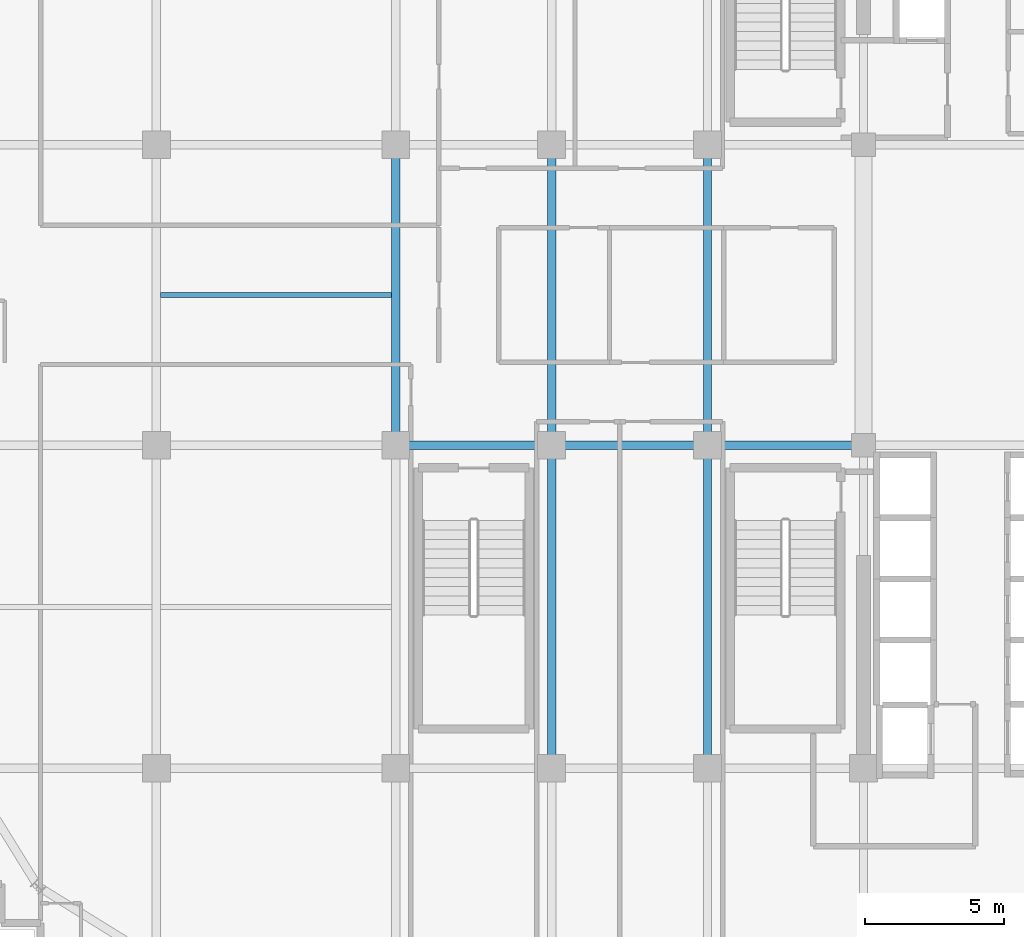
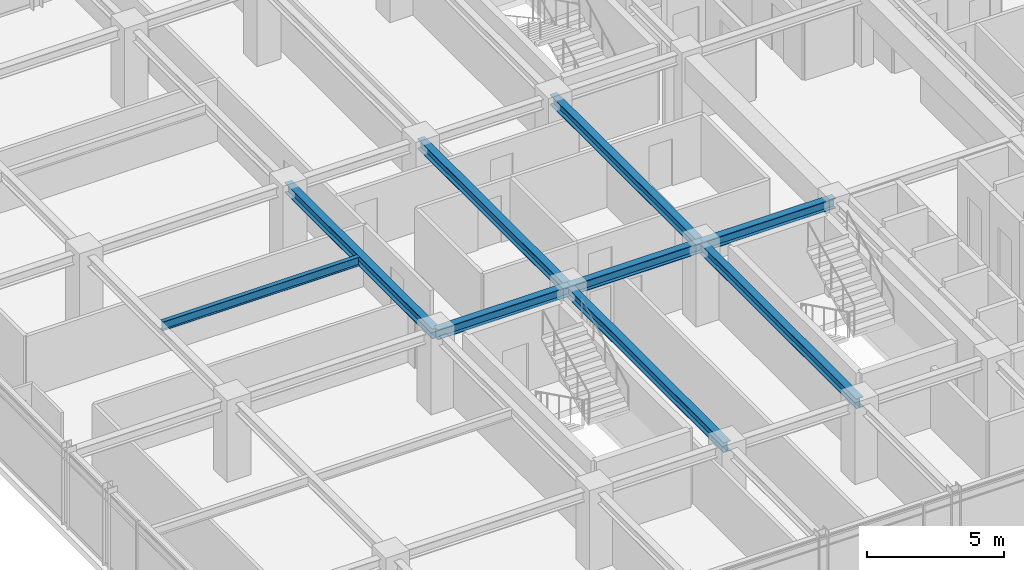
# One storey, part 11 of 36: 9 beams.
"""IFC4 building model written with IfcOpenShell, lengths in metres."""

from ifc_helpers import new_model, si_unit, direction, frame, origin, origin_2d, place, context, subcontext, project, spatial, i_section, extrude, source, transform, mapped, material, material_profile, profile_set, type_object, element, save


model = new_model("IFC4")

# Units and contexts
model_context = context("Model", 3, precision=1e-05, world=origin(), true_north=direction((0.0, 1.0)))
body_context = subcontext(model_context, "Body", "Model", "MODEL_VIEW")
ifc_project = project(units=[si_unit("LENGTHUNIT", "METRE"), si_unit("AREAUNIT", "SQUARE_METRE"), si_unit("VOLUMEUNIT", "CUBIC_METRE"), si_unit("PLANEANGLEUNIT", "RADIAN"), si_unit("MASSUNIT", "GRAM", prefix="KILO")], contexts=[model_context])

# Site, building, storey
site_placement = place(None, origin())
site = spatial("IfcSite", under=ifc_project, at=site_placement, CompositionType="ELEMENT")
building_placement = place(site_placement, origin())
building = spatial("IfcBuilding", under=site, at=building_placement, Name="Nahalor Promenade Grand Hotel", CompositionType="ELEMENT")
storey_placement = place(building_placement, frame((0.0, 0.0, 223.39990234375)))
storey = spatial("IfcBuildingStorey", under=building, at=storey_placement, Name="L57", CompositionType="ELEMENT", Elevation=223.39990234375)

# Beams
ifc_material = material(Name="Steel S355JR", Category="steel")
ifc_material_profile_1 = material_profile(ifc_material, i_section(OverallWidth=0.3, OverallDepth=0.45, WebThickness=0.014, FlangeThickness=0.026, at=origin_2d()), Name="HEB 450")
ifc_profile_set_1 = profile_set([ifc_material_profile_1], Name="Steel S355JR")
beam_type_1 = type_object("IfcBeamType", Name="Beam-Girder-HEB450", PredefinedType="BEAM", material=ifc_profile_set_1)
shared_shape_1 = source(origin(), body_context, "Body", "SweptSolid", [
    extrude(i_section(OverallWidth=0.3, OverallDepth=0.45, WebThickness=0.014, FlangeThickness=0.026, at=origin_2d()), origin(), (0.0, 0.0, 1.0), 5.599853515625),
])
for number, where, z_axis, x_axis, name in (
    (1, (-8.39990234375, -5.39990234375, 3.18505859375), (1.0, 0.0, 0.0), (0.0, 1.0, 0.0), "BM-L57-GX-1-2"),
    (2, (2.800048828125, -5.39990234375, 3.18505859375), (1.0, 0.0, 0.0), (0.0, 1.0, 0.0), "BM-L57-GX-1-4"),
):
    element("IfcBeam", number, at=place(storey_placement, frame(where, z_axis=z_axis, x_axis=x_axis)), inside=storey, type_object=beam_type_1, Name=name, PredefinedType="BEAM", context=body_context, shape_type="MappedRepresentation", body=[
        mapped(shared_shape_1, transform((0.0, 0.0, 0.0), scale=1.0)),
    ])
shared_shape_2 = source(origin(), body_context, "Body", "SweptSolid", [
    extrude(i_section(OverallWidth=0.3, OverallDepth=0.45, WebThickness=0.014, FlangeThickness=0.026, at=origin_2d()), origin(), (0.0, 0.0, 1.0), 5.60009765625),
])
beam_1_placement = place(storey_placement, frame((-2.800048828125, -5.39990234375, 3.18505859375), z_axis=(1.0, 0.0, 0.0), x_axis=(0.0, 1.0, 0.0)))
element("IfcBeam", 3, at=beam_1_placement, inside=storey, type_object=beam_type_1, Name="BM-L57-GX-1-3", PredefinedType="BEAM", context=body_context, shape_type="MappedRepresentation", body=[
    mapped(shared_shape_2, transform((0.0, 0.0, 0.0), scale=1.0)),
])
shared_shape_3 = source(origin(), body_context, "Body", "SweptSolid", [
    extrude(i_section(OverallWidth=0.3, OverallDepth=0.45, WebThickness=0.014, FlangeThickness=0.026, at=origin_2d()), origin(), (0.0, 0.0, 1.0), 11.60009765625),
])
for number, where, z_axis, x_axis, name in (
    (4, (-2.800048828125, -17.0, 3.18505859375), (0.0, 1.0, 0.0), (-1.0, 0.0, 0.0), "BM-L57-GY-2-1"),
    (5, (2.800048828125, -17.0, 3.18505859375), (0.0, 1.0, 0.0), (-1.0, 0.0, 0.0), "BM-L57-GY-3-1"),
):
    element("IfcBeam", number, at=place(storey_placement, frame(where, z_axis=z_axis, x_axis=x_axis)), inside=storey, type_object=beam_type_1, Name=name, PredefinedType="BEAM", context=body_context, shape_type="MappedRepresentation", body=[
        mapped(shared_shape_3, transform((0.0, 0.0, 0.0), scale=1.0)),
    ])
shared_shape_4 = source(origin(), body_context, "Body", "SweptSolid", [
    extrude(i_section(OverallWidth=0.3, OverallDepth=0.45, WebThickness=0.014, FlangeThickness=0.026, at=origin_2d()), origin(), (0.0, 0.0, 1.0), 10.7998046875),
])
for number, where, z_axis, x_axis, name in (
    (6, (-8.39990234375, -5.39990234375, 3.18505859375), (0.0, 1.0, 0.0), (-1.0, 0.0, 0.0), "BM-L57-GY-1-2"),
    (7, (-2.800048828125, -5.39990234375, 3.18505859375), (0.0, 1.0, 0.0), (-1.0, 0.0, 0.0), "BM-L57-GY-2-2"),
    (8, (2.800048828125, -5.39990234375, 3.18505859375), (0.0, 1.0, 0.0), (-1.0, 0.0, 0.0), "BM-L57-GY-3-2"),
):
    element("IfcBeam", number, at=place(storey_placement, frame(where, z_axis=z_axis, x_axis=x_axis)), inside=storey, type_object=beam_type_1, Name=name, PredefinedType="BEAM", context=body_context, shape_type="MappedRepresentation", body=[
        mapped(shared_shape_4, transform((0.0, 0.0, 0.0), scale=1.0)),
    ])
ifc_material_profile_2 = material_profile(ifc_material, i_section(OverallWidth=0.18, OverallDepth=0.4, WebThickness=0.0086, FlangeThickness=0.0135, at=origin_2d()), Name="IPE 400")
ifc_profile_set_2 = profile_set([ifc_material_profile_2], Name="Steel S355JR")
beam_type_2 = type_object("IfcBeamType", Name="Beam-Joist-IPE400", PredefinedType="JOIST", material=ifc_profile_set_2)
shared_shape_5 = source(origin(), body_context, "Body", "SweptSolid", [
    extrude(i_section(OverallWidth=0.18, OverallDepth=0.4, WebThickness=0.0086, FlangeThickness=0.0135, at=origin_2d()), origin(), (0.0, 0.0, 1.0), 8.300048828125),
])
beam_2_placement = place(storey_placement, frame((-16.85009765625, 0.0, 3.210205078125), z_axis=(1.0, 0.0, 0.0), x_axis=(0.0, 1.0, 0.0)))
element("IfcBeam", 9, at=beam_2_placement, inside=storey, type_object=beam_type_2, Name="BM-L57-JSC-0", PredefinedType="JOIST", context=body_context, shape_type="MappedRepresentation", body=[
    mapped(shared_shape_5, transform((0.0, 0.0, 0.0), scale=1.0)),
])

save(model, "model.ifc")
